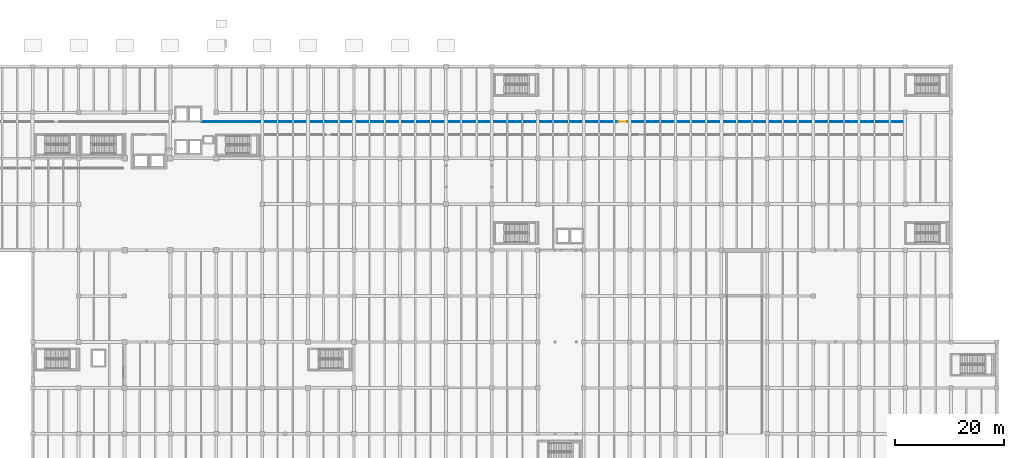
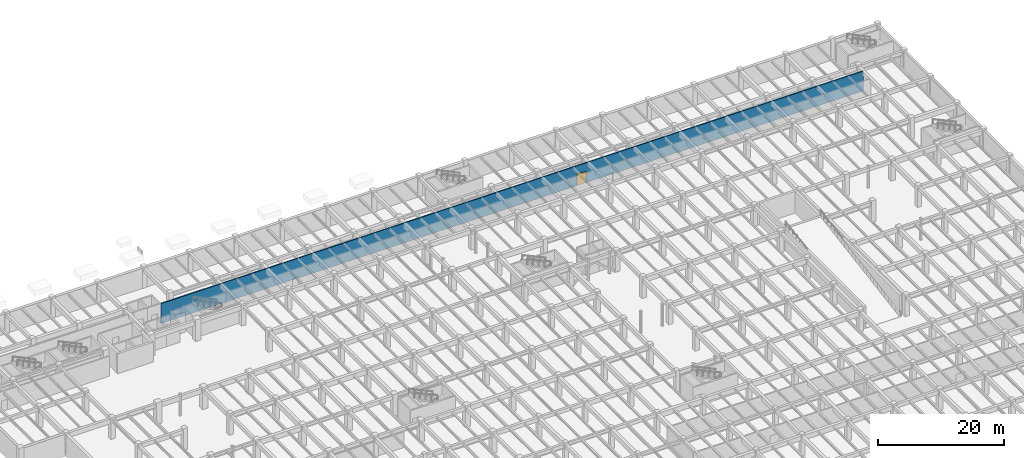
# One storey, part 42 of 63: 1 door, 1 wall, 1 opening.
"""IFC4 building model written with IfcOpenShell, lengths in metres."""

from ifc_helpers import new_model, si_unit, direction, frame, frame_2d, origin, place, context, subcontext, project, spatial, rectangle, extrude, material, layer, layer_set, type_object, element, fill, save


model = new_model("IFC4")

# Units and contexts
model_context = context("Model", 3, precision=1e-05, world=origin(), true_north=direction((0.0, 1.0)))
body_context = subcontext(model_context, "Body", "Model", "MODEL_VIEW")
ifc_project = project(units=[si_unit("LENGTHUNIT", "METRE"), si_unit("AREAUNIT", "SQUARE_METRE"), si_unit("VOLUMEUNIT", "CUBIC_METRE"), si_unit("PLANEANGLEUNIT", "RADIAN"), si_unit("MASSUNIT", "GRAM", prefix="KILO")], contexts=[model_context])

# Site, building, storey
site_placement = place(None, origin())
site = spatial("IfcSite", under=ifc_project, at=site_placement, CompositionType="ELEMENT")
building_placement = place(site_placement, origin())
building = spatial("IfcBuilding", under=site, at=building_placement, Name="Cumbredor Promenade Congress Hotel", CompositionType="ELEMENT")
storey_placement = place(building_placement, frame((0.0, 0.0, -4.199951171875)))
storey = spatial("IfcBuildingStorey", under=building, at=storey_placement, Name="B01", CompositionType="ELEMENT", Elevation=-4.199951171875)

# Wall, opening, door
ifc_material_1 = material(Name="Fire-rated hotel corridor wall")
ifc_layer = layer(ifc_material_1, 0.179931640625, Name="Fire-rated hotel corridor wall")
ifc_layer_set = layer_set([ifc_layer], Name="Fire-rated hotel corridor wall")
wall_type = type_object("IfcWallType", Name="WL-CORR-180", PredefinedType="PARTITIONING", material=ifc_layer_set)
wall_placement = place(storey_placement, frame((39.330078125, 107.5, 0.0), z_axis=(0.0, 0.0, 1.0), x_axis=(1.0, 0.0, 0.0)))
wall = element("IfcWall", 1, at=wall_placement, inside=storey, type_object=wall_type, Name="B01 Interior Partition W-B01-05B", PredefinedType="PARTITIONING", context=body_context, shape_type="SweptSolid", body=[
    extrude(rectangle(XDim=128.58984375, YDim=0.179931640625, at=frame_2d((64.294921875, 0.0))), origin(), (0.0, 0.0, 1.0), 3.849853515625),
])
opening_placement = place(wall_placement, frame((76.169921875, 0.0, 0.0)))
opening = element("IfcOpeningElement", 2, at=opening_placement, cuts=wall, Name="Opening FD-09", PredefinedType="OPENING", context=body_context, shape_type="SweptSolid", body=[
    extrude(rectangle(XDim=1.64990234375, YDim=2.25, at=frame_2d((0.824951171875, 1.125))), frame((0.0, 0.10009765625, 0.0), z_axis=(0.0, -1.0, 0.0), x_axis=(1.0, 0.0, 0.0)), (0.0, 0.0, 1.0), 0.199951171875),
])
ifc_material_2 = material(Name="Painted galvanized steel fire door", Category="steel")
door_type = type_object("IfcDoorType", Name="DR-PLANT-FD60-1600", OperationType="DOUBLE_DOOR_SINGLE_SWING", PredefinedType="DOOR", material=ifc_material_2)
door_placement = place(opening_placement, origin())
door = element("IfcDoor", 3, at=door_placement, inside=storey, type_object=door_type, Name="B01 Interior Door W-B01-05B-01", OperationType="DOUBLE_DOOR_SINGLE_SWING", OverallHeight=2.25, OverallWidth=1.64990234375, PredefinedType="DOOR", context=body_context, shape_type="SweptSolid", body=[
    extrude(rectangle(XDim=1.64990234375, YDim=2.25, at=frame_2d((0.824951171875, 1.125))), frame((0.0, 0.02490234375, 0.0), z_axis=(0.0, -1.0, 0.0), x_axis=(1.0, 0.0, 0.0)), (0.0, 0.0, 1.0), 0.050048828125),
])
fill(opening, door)

save(model, "model.ifc")
